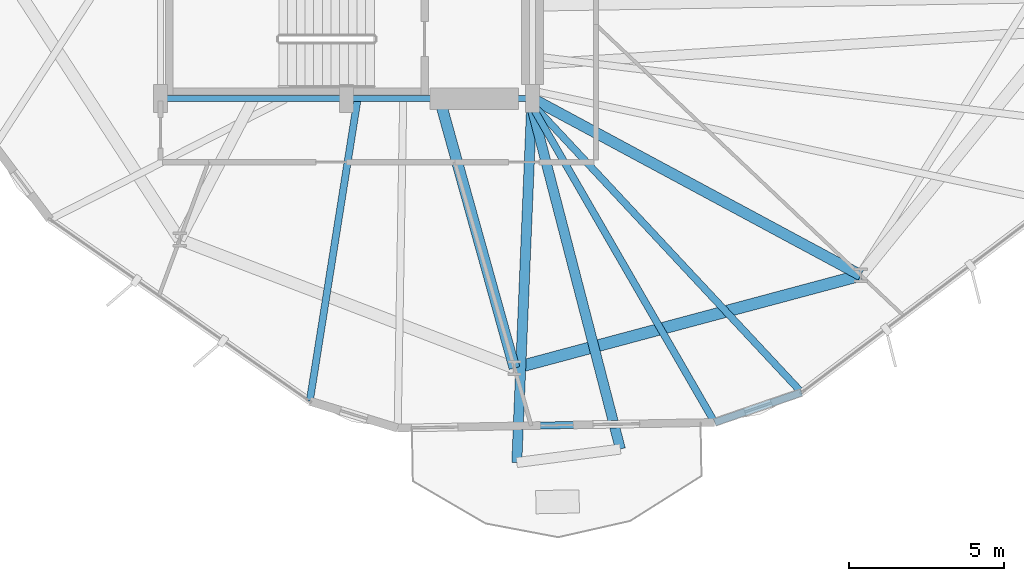
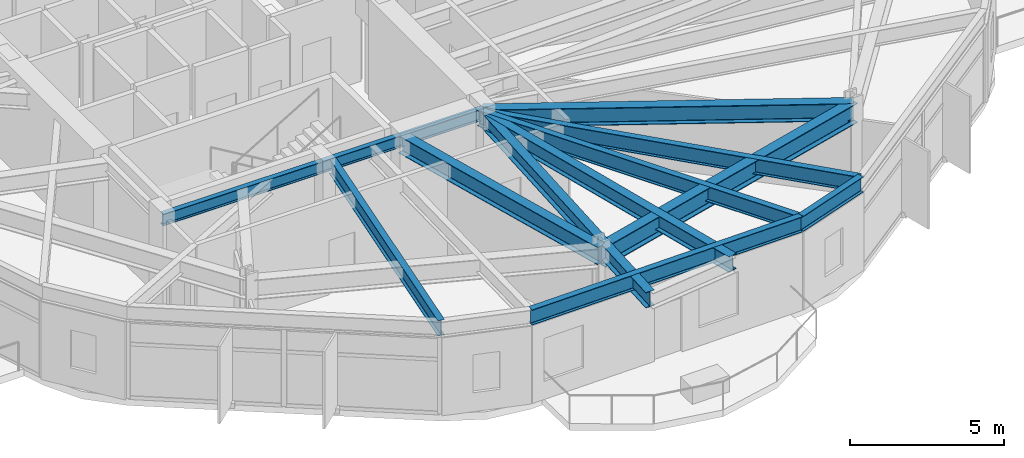
# One storey, part 5 of 23: 12 beams.
"""IFC4 building model written with IfcOpenShell, lengths in metres."""

from ifc_helpers import new_model, si_unit, direction, frame, origin, origin_2d, place, context, subcontext, project, spatial, i_section, extrude, material, material_profile, profile_set, type_object, element, save


model = new_model("IFC4")

# Units and contexts
model_context = context("Model", 3, precision=1e-05, world=origin(), true_north=direction((0.0, 1.0)))
body_context = subcontext(model_context, "Body", "Model", "MODEL_VIEW")
ifc_project = project(units=[si_unit("LENGTHUNIT", "METRE"), si_unit("AREAUNIT", "SQUARE_METRE"), si_unit("VOLUMEUNIT", "CUBIC_METRE"), si_unit("PLANEANGLEUNIT", "RADIAN"), si_unit("MASSUNIT", "GRAM", prefix="KILO")], contexts=[model_context])

# Site, building, storey
site_placement = place(None, origin())
site = spatial("IfcSite", under=ifc_project, at=site_placement, CompositionType="ELEMENT")
building_placement = place(site_placement, origin())
building = spatial("IfcBuilding", under=site, at=building_placement, Name="Soratama Intermodal Tower", CompositionType="ELEMENT")
storey_placement = place(building_placement, frame((0.0, 0.0, 30.60009765625)))
storey = spatial("IfcBuildingStorey", under=building, at=storey_placement, Name="L06", CompositionType="ELEMENT", Elevation=30.60009765625)

# Beams
ifc_material_1 = material(Name="Structural steel ASTM A992 Grade 50", Category="steel")
ifc_material_profile_1 = material_profile(ifc_material_1, i_section(OverallWidth=0.324951171875, OverallDepth=0.615966796875, WebThickness=0.013916015625, FlangeThickness=0.021484375, FilletRadius=0.013916015625, at=origin_2d()), Name="W24X117")
ifc_profile_set_1 = profile_set([ifc_material_profile_1], Name="Structural steel ASTM A992 Grade 50")
beam_type_1 = type_object("IfcBeamType", Name="BM-CANT-W24X117", PredefinedType="BEAM", material=ifc_profile_set_1)
beam_1_placement = place(storey_placement, frame((44.58203125, 14.9599609375, 3.391845703125), z_axis=(-0.041582861005, -0.999135058774, 0.0), x_axis=(0.999135058774, -0.041582861005, 0.0)))
element("IfcBeam", 1, at=beam_1_placement, inside=storey, type_object=beam_type_1, Name="BM-L06-CANT-4-1", PredefinedType="BEAM", context=body_context, shape_type="SweptSolid", body=[
    extrude(i_section(OverallWidth=0.324951171875, OverallDepth=0.615966796875, WebThickness=0.013916015625, FlangeThickness=0.021484375, FilletRadius=0.013916015625, at=origin_2d()), origin(), (0.0, 0.0, 1.0), 11.712890625),
])
beam_2_placement = place(storey_placement, frame((44.51806640625, 14.9609375, 3.391845703125), z_axis=(0.250826780904, -0.968031986032, 0.0), x_axis=(0.968031986032, 0.250826780904, 0.0)))
element("IfcBeam", 2, at=beam_2_placement, inside=storey, type_object=beam_type_1, Name="BM-L06-CANT-4-2", PredefinedType="BEAM", context=body_context, shape_type="SweptSolid", body=[
    extrude(i_section(OverallWidth=0.324951171875, OverallDepth=0.615966796875, WebThickness=0.013916015625, FlangeThickness=0.021484375, FilletRadius=0.013916015625, at=origin_2d()), origin(), (0.0, 0.0, 1.0), 11.64111328125),
])
ifc_material_2 = material(Name="Structural steel ASTM A992 Grade 50", Category="steel")
ifc_material_profile_2 = material_profile(ifc_material_2, i_section(OverallWidth=0.19091796875, OverallDepth=0.4599609375, WebThickness=0.010009765625, FlangeThickness=0.01611328125, FilletRadius=0.010986328125, at=origin_2d()), Name="W18X55")
ifc_profile_set_2 = profile_set([ifc_material_profile_2], Name="Structural steel ASTM A992 Grade 50")
beam_type_2 = type_object("IfcBeamType", Name="BM-FLR-W18X55", PredefinedType="BEAM", material=ifc_profile_set_2)
for number, where, z_axis, x_axis, name in (
    (3, (32.60009765625, 15.0, 3.469970703125), (1.0, 0.0, 0.0), (0.0, 1.0, 0.0), "BM-L06-CRING-01"),
    (4, (38.60009765625, 15.0, 3.469970703125), (1.0, 0.0, 0.0), (0.0, 1.0, 0.0), "BM-L06-CRING-02"),
):
    element("IfcBeam", number, at=place(storey_placement, frame(where, z_axis=z_axis, x_axis=x_axis)), inside=storey, type_object=beam_type_2, Name=name, PredefinedType="BEAM", context=body_context, shape_type="SweptSolid", body=[
        extrude(i_section(OverallWidth=0.19091796875, OverallDepth=0.4599609375, WebThickness=0.010009765625, FlangeThickness=0.01611328125, FilletRadius=0.010986328125, at=origin_2d()), origin(), (0.0, 0.0, 1.0), 6.0),
    ])
ifc_material_3 = material(Name="Structural steel ASTM A992 Grade 50", Category="steel")
ifc_material_profile_3 = material_profile(ifc_material_3, i_section(OverallWidth=0.35498046875, OverallDepth=0.695068359375, WebThickness=0.015380859375, FlangeThickness=0.02490234375, FilletRadius=0.01611328125, at=origin_2d()), Name="W27X146")
ifc_profile_set_3 = profile_set([ifc_material_profile_3], Name="Structural steel ASTM A992 Grade 50")
beam_type_3 = type_object("IfcBeamType", Name="BM-RING-W27X146", PredefinedType="BEAM", material=ifc_profile_set_3)
beam_3_placement = place(storey_placement, frame((41.60009765625, 15.0, 3.352294921875), z_axis=(0.26814752121, -0.963377862974, 0.0), x_axis=(0.963377862974, 0.26814752121, 0.0)))
element("IfcBeam", 5, at=beam_3_placement, inside=storey, type_object=beam_type_3, Name="BM-L06-RAD-08", PredefinedType="BEAM", context=body_context, shape_type="SweptSolid", body=[
    extrude(i_section(OverallWidth=0.35498046875, OverallDepth=0.695068359375, WebThickness=0.015380859375, FlangeThickness=0.02490234375, FilletRadius=0.01611328125, at=origin_2d()), origin(), (0.0, 0.0, 1.0), 9.024658203125),
])
beam_4_placement = place(storey_placement, frame((44.60009765625, 15.0, 3.352294921875), z_axis=(0.880663887759, -0.473741613961, 0.0), x_axis=(0.473741613961, 0.880663887759, 0.0)))
element("IfcBeam", 6, at=beam_4_placement, inside=storey, type_object=beam_type_3, Name="BM-L06-RAD-09", PredefinedType="BEAM", context=body_context, shape_type="SweptSolid", body=[
    extrude(i_section(OverallWidth=0.35498046875, OverallDepth=0.695068359375, WebThickness=0.015380859375, FlangeThickness=0.02490234375, FilletRadius=0.01611328125, at=origin_2d()), origin(), (0.0, 0.0, 1.0), 12.03173828125),
])
ifc_material_4 = material(Name="Structural steel ASTM A992 Grade 50", Category="steel")
ifc_material_profile_4 = material_profile(ifc_material_4, i_section(OverallWidth=0.382080078125, OverallDepth=0.779052734375, WebThickness=0.01806640625, FlangeThickness=0.030029296875, FilletRadius=0.01806640625, at=origin_2d()), Name="W30X191")
ifc_profile_set_4 = profile_set([ifc_material_profile_4], Name="Structural steel ASTM A992 Grade 50")
beam_type_4 = type_object("IfcBeamType", Name="BM-RING-W30X191", PredefinedType="BEAM", material=ifc_profile_set_4)
beam_5_placement = place(storey_placement, frame((44.02001953125, 6.305908203125, 3.310302734375), z_axis=(0.965935902196, 0.258781438376, 0.0), x_axis=(-0.258781438376, 0.965935902196, 0.0)))
element("IfcBeam", 7, at=beam_5_placement, inside=storey, type_object=beam_type_4, Name="BM-L06-RING-08", PredefinedType="BEAM", context=body_context, shape_type="SweptSolid", body=[
    extrude(i_section(OverallWidth=0.382080078125, OverallDepth=0.779052734375, WebThickness=0.01806640625, FlangeThickness=0.030029296875, FilletRadius=0.01806640625, at=origin_2d()), origin(), (0.0, 0.0, 1.0), 11.570068359375),
])
ifc_material_5 = material(Name="Structural steel ASTM A992 Grade 50", Category="steel")
ifc_material_profile_5 = material_profile(ifc_material_5, i_section(OverallWidth=0.22900390625, OverallDepth=0.612060546875, WebThickness=0.011962890625, FlangeThickness=0.01953125, FilletRadius=0.012939453125, at=origin_2d()), Name="W24X84")
ifc_profile_set_5 = profile_set([ifc_material_profile_5], Name="Structural steel ASTM A992 Grade 50")
beam_type_5 = type_object("IfcBeamType", Name="BM-SPN-W24X84", PredefinedType="SPANDREL", material=ifc_profile_set_5)
beam_6_placement = place(storey_placement, frame((40.2509765625, 4.368896484375, 3.393798828125), z_axis=(0.99984152607, 0.017802324179, 0.0), x_axis=(-0.017802324179, 0.99984152607, 0.0)))
element("IfcBeam", 8, at=beam_6_placement, inside=storey, type_object=beam_type_5, Name="BS-L06-F08", PredefinedType="SPANDREL", context=body_context, shape_type="SweptSolid", body=[
    extrude(i_section(OverallWidth=0.22900390625, OverallDepth=0.612060546875, WebThickness=0.011962890625, FlangeThickness=0.01953125, FilletRadius=0.012939453125, at=origin_2d()), origin(), (0.0, 0.0, 1.0), 10.230712890625),
])
beam_7_placement = place(storey_placement, frame((50.47998046875, 4.551025390625, 3.393798828125), z_axis=(0.945391343779, 0.32593742821, 0.0), x_axis=(-0.32593742821, 0.945391343779, 0.0)))
element("IfcBeam", 9, at=beam_7_placement, inside=storey, type_object=beam_type_5, Name="BS-L06-CRN08", PredefinedType="SPANDREL", context=body_context, shape_type="SweptSolid", body=[
    extrude(i_section(OverallWidth=0.22900390625, OverallDepth=0.612060546875, WebThickness=0.011962890625, FlangeThickness=0.01953125, FilletRadius=0.012939453125, at=origin_2d()), origin(), (0.0, 0.0, 1.0), 2.967041015625),
])
ifc_material_6 = material(Name="Structural steel ASTM A992 Grade 50", Category="steel")
ifc_material_profile_6 = material_profile(ifc_material_6, i_section(OverallWidth=0.22900390625, OverallDepth=0.612060546875, WebThickness=0.011962890625, FlangeThickness=0.01953125, FilletRadius=0.012939453125, at=origin_2d()), Name="W24X84")
ifc_profile_set_6 = profile_set([ifc_material_profile_6], Name="Structural steel ASTM A992 Grade 50")
beam_type_6 = type_object("IfcBeamType", Name="BM-TIE-W24X84", PredefinedType="BEAM", material=ifc_profile_set_6)
beam_8_placement = place(storey_placement, frame((38.9541015625, 14.9599609375, 3.393798828125), z_axis=(-0.156427355822, -0.987689466558, 0.0), x_axis=(0.987689466558, -0.156427355822, 0.0)))
element("IfcBeam", 10, at=beam_8_placement, inside=storey, type_object=beam_type_6, Name="BM-L06-TIE1-07", PredefinedType="BEAM", context=body_context, shape_type="SweptSolid", body=[
    extrude(i_section(OverallWidth=0.22900390625, OverallDepth=0.612060546875, WebThickness=0.011962890625, FlangeThickness=0.01953125, FilletRadius=0.012939453125, at=origin_2d()), origin(), (0.0, 0.0, 1.0), 9.844970703125),
])
beam_9_placement = place(storey_placement, frame((44.467041015625, 14.965087890625, 3.393798828125), z_axis=(0.500023554217, -0.866011804324, 0.0), x_axis=(0.866011804324, 0.500023554217, 0.0)))
element("IfcBeam", 11, at=beam_9_placement, inside=storey, type_object=beam_type_6, Name="BM-L06-TIE1-08", PredefinedType="BEAM", context=body_context, shape_type="SweptSolid", body=[
    extrude(i_section(OverallWidth=0.22900390625, OverallDepth=0.612060546875, WebThickness=0.011962890625, FlangeThickness=0.01953125, FilletRadius=0.012939453125, at=origin_2d()), origin(), (0.0, 0.0, 1.0), 12.025390625),
])
beam_10_placement = place(storey_placement, frame((44.4580078125, 14.970947265625, 3.393798828125), z_axis=(0.682492427078, -0.730892664473, 0.0), x_axis=(0.730892664473, 0.682492427078, 0.0)))
element("IfcBeam", 12, at=beam_10_placement, inside=storey, type_object=beam_type_6, Name="BM-L06-TIE0-09", PredefinedType="BEAM", context=body_context, shape_type="SweptSolid", body=[
    extrude(i_section(OverallWidth=0.22900390625, OverallDepth=0.612060546875, WebThickness=0.011962890625, FlangeThickness=0.01953125, FilletRadius=0.012939453125, at=origin_2d()), origin(), (0.0, 0.0, 1.0), 12.933349609375),
])

save(model, "model.ifc")
